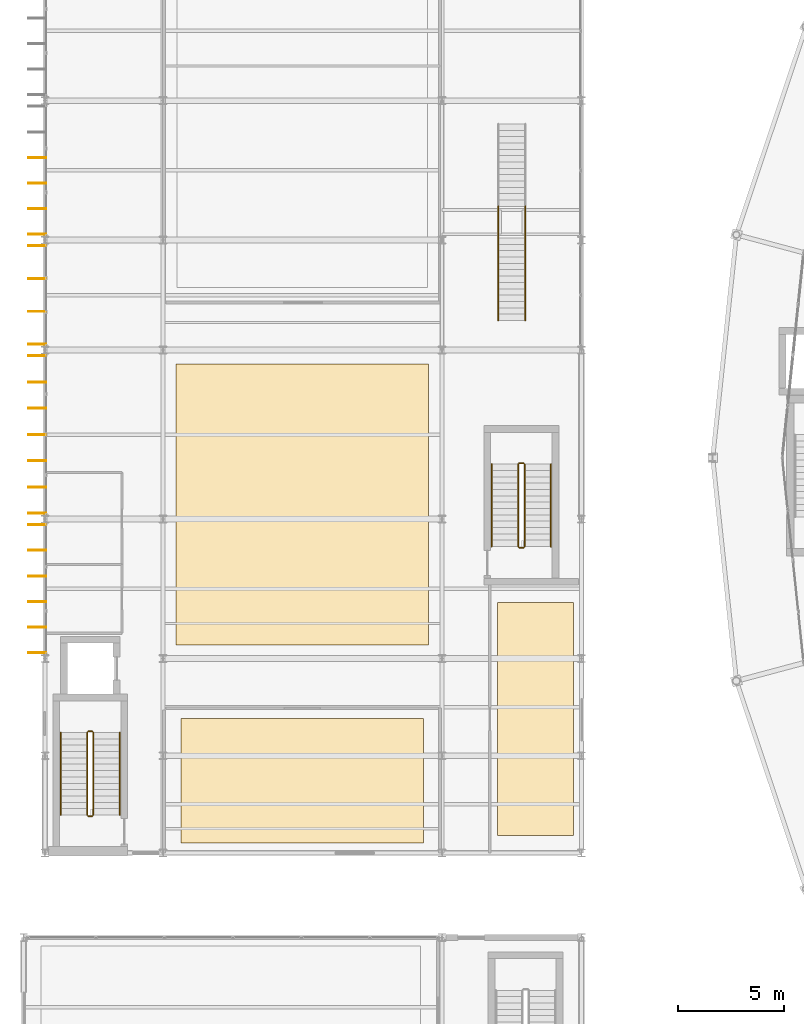
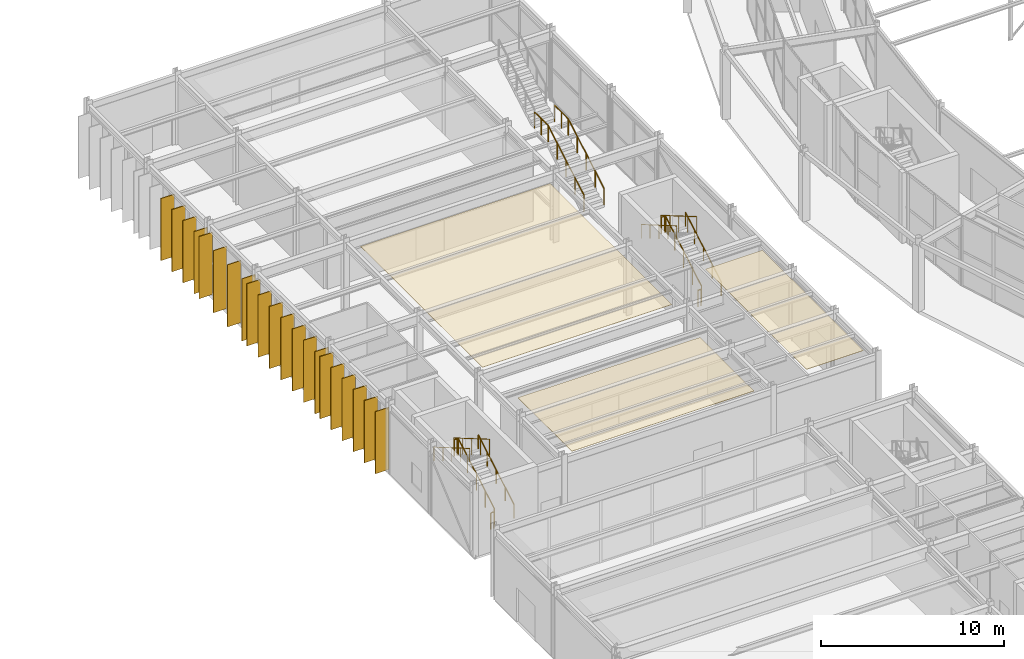
# One storey, part 135 of 144: 21 shading devices, 16 railings, 3 coverings.
"""IFC4 building model written with IfcOpenShell, lengths in metres."""

from ifc_helpers import new_model, si_unit, direction, frame, origin, origin_2d, place, context, subcontext, project, spatial, polyline, rectangle, circle, outline, extrude, material, layer, layer_set, type_object, element, save


model = new_model("IFC4")

# Units and contexts
model_context = context("Model", 3, precision=1e-05, world=origin(), true_north=direction((0.0, 1.0)))
body_context = subcontext(model_context, "Body", "Model", "MODEL_VIEW")
ifc_project = project(units=[si_unit("LENGTHUNIT", "METRE"), si_unit("AREAUNIT", "SQUARE_METRE"), si_unit("VOLUMEUNIT", "CUBIC_METRE"), si_unit("PLANEANGLEUNIT", "RADIAN"), si_unit("MASSUNIT", "GRAM", prefix="KILO")], contexts=[model_context])

# Site, building, storey
site_placement = place(None, origin())
site = spatial("IfcSite", under=ifc_project, at=site_placement, CompositionType="ELEMENT")
building_placement = place(site_placement, origin())
building = spatial("IfcBuilding", under=site, at=building_placement, Name="Karori Crest Natural Sciences Institute", CompositionType="ELEMENT")
storey_placement = place(building_placement, origin())
storey = spatial("IfcBuildingStorey", under=building, at=storey_placement, Name="L00", CompositionType="ELEMENT", Elevation=0.0)

# Coverings
ifc_material_1 = material(Name="Acoustic mineral fibre ceiling tile")
ifc_layer_1 = layer(ifc_material_1, 0.02490234375, Name="Acoustic mineral fibre ceiling tile")
ifc_layer_set_1 = layer_set([ifc_layer_1], Name="Acoustic mineral fibre ceiling tile")
covering_type = type_object("IfcCoveringType", Name="CVT-CEIL", PredefinedType="CEILING", material=ifc_layer_set_1)
covering_1_placement = place(storey_placement, frame((0.0, 0.0, 4.405029296875)))
element("IfcCovering", 1, at=covering_1_placement, inside=storey, type_object=covering_type, Name="Acoustic ceiling CLG-0044", PredefinedType="CEILING", context=body_context, shape_type="SweptSolid", body=[
    extrude(outline(polyline([(7.998046875, 54.349365234375), (7.998046875, 41.050537109375), (19.951904296875, 41.050537109375), (19.951904296875, 54.349365234375), (7.998046875, 54.349365234375)])), origin(), (0.0, 0.0, 1.0), 0.02490234375),
])
covering_2_placement = place(storey_placement, frame((0.0, 0.0, 4.405029296875)))
element("IfcCovering", 2, at=covering_2_placement, inside=storey, type_object=covering_type, Name="Acoustic ceiling CLG-0046", PredefinedType="CEILING", context=body_context, shape_type="SweptSolid", body=[
    extrude(outline(polyline([(8.23291015625, 37.570556640625), (8.23291015625, 31.679443359375), (19.71728515625, 31.679443359375), (19.71728515625, 37.570556640625), (8.23291015625, 37.570556640625)])), origin(), (0.0, 0.0, 1.0), 0.02490234375),
])
covering_3_placement = place(storey_placement, frame((0.0, 0.0, 4.405029296875)))
element("IfcCovering", 3, at=covering_3_placement, inside=storey, type_object=covering_type, Name="Acoustic ceiling CLG-0047", PredefinedType="CEILING", context=body_context, shape_type="SweptSolid", body=[
    extrude(outline(polyline([(23.22705078125, 43.054443359375), (23.22705078125, 32.025390625), (26.822998046875, 32.025390625), (26.822998046875, 43.054443359375), (23.22705078125, 43.054443359375)])), origin(), (0.0, 0.0, 1.0), 0.02490234375),
])

# Railings
ifc_material_2 = material(Name="Stainless steel 316 tubular handrail", Category="steel")
railing_type_1 = type_object("IfcRailingType", Name="RLT-HND", PredefinedType="HANDRAIL", material=ifc_material_2)
railing_1_placement = place(storey_placement, frame((5.35009765625, 33.0, 0.175048828125)))
element("IfcRailing", 4, at=railing_1_placement, inside=storey, type_object=railing_type_1, Name="Stair handrail RL-0317", PredefinedType="HANDRAIL", context=body_context, shape_type="SweptSolid", body=[
    extrude(circle(Radius=0.02392578125, at=origin_2d()), frame((0.0, 0.0, 0.90087890625), z_axis=(0.0, 0.86378282336, 0.503864301244), x_axis=(-1.0, 0.0, 0.0)), (0.0, 0.0, 1.0), 4.514892578125),
    extrude(circle(Radius=0.02099609375, at=origin_2d()), origin(), (0.0, 0.0, 1.0), 0.876953125),
    extrude(circle(Radius=0.02099609375, at=origin_2d()), frame((0.0, 0.97509765625, 0.56884765625)), (0.0, 0.0, 1.0), 0.876953125),
    extrude(circle(Radius=0.02099609375, at=origin_2d()), frame((0.0, 1.949951171875, 1.137451171875)), (0.0, 0.0, 1.0), 0.876953125),
    extrude(circle(Radius=0.02099609375, at=origin_2d()), frame((0.0, 2.9248046875, 1.7060546875)), (0.0, 0.0, 1.0), 0.876953125),
    extrude(circle(Radius=0.02099609375, at=origin_2d()), frame((0.0, 3.89990234375, 2.27490234375)), (0.0, 0.0, 1.0), 0.876953125),
])
railing_2_placement = place(storey_placement, frame((2.550048828125, 36.89990234375, 2.625)))
element("IfcRailing", 5, at=railing_2_placement, inside=storey, type_object=railing_type_1, Name="Stair handrail RL-0318", PredefinedType="HANDRAIL", context=body_context, shape_type="SweptSolid", body=[
    extrude(circle(Radius=0.02392578125, at=origin_2d()), frame((0.0, 0.0, 0.90087890625), z_axis=(0.0, -0.86378282336, 0.503864301244), x_axis=(1.0, 0.0, 0.0)), (0.0, 0.0, 1.0), 4.514892578125),
    extrude(circle(Radius=0.02099609375, at=origin_2d()), origin(), (0.0, 0.0, 1.0), 0.876953125),
    extrude(circle(Radius=0.02099609375, at=origin_2d()), frame((0.0, -0.97509765625, 0.56884765625)), (0.0, 0.0, 1.0), 0.876953125),
    extrude(circle(Radius=0.02099609375, at=origin_2d()), frame((0.0, -1.949951171875, 1.137451171875)), (0.0, 0.0, 1.0), 0.876953125),
    extrude(circle(Radius=0.02099609375, at=origin_2d()), frame((0.0, -2.9248046875, 1.7060546875)), (0.0, 0.0, 1.0), 0.876953125),
    extrude(circle(Radius=0.02099609375, at=origin_2d()), frame((0.0, -3.89990234375, 2.27490234375)), (0.0, 0.0, 1.0), 0.876953125),
])
railing_3_placement = place(storey_placement, frame((25.75, 45.699951171875, 0.175048828125)))
element("IfcRailing", 6, at=railing_3_placement, inside=storey, type_object=railing_type_1, Name="Stair handrail RL-0348", PredefinedType="HANDRAIL", context=body_context, shape_type="SweptSolid", body=[
    extrude(circle(Radius=0.02392578125, at=origin_2d()), frame((0.0, 0.0, 0.90087890625), z_axis=(0.0, 0.86379655074, 0.503840767436), x_axis=(-1.0, 0.0, 0.0)), (0.0, 0.0, 1.0), 4.51513671875),
    extrude(circle(Radius=0.02099609375, at=origin_2d()), origin(), (0.0, 0.0, 1.0), 0.876953125),
    extrude(circle(Radius=0.02099609375, at=origin_2d()), frame((0.0, 0.97509765625, 0.56884765625)), (0.0, 0.0, 1.0), 0.876953125),
    extrude(circle(Radius=0.02099609375, at=origin_2d()), frame((0.0, 1.9501953125, 1.137451171875)), (0.0, 0.0, 1.0), 0.876953125),
    extrude(circle(Radius=0.02099609375, at=origin_2d()), frame((0.0, 2.925048828125, 1.7060546875)), (0.0, 0.0, 1.0), 0.876953125),
    extrude(circle(Radius=0.02099609375, at=origin_2d()), frame((0.0, 3.900146484375, 2.27490234375)), (0.0, 0.0, 1.0), 0.876953125),
])
railing_4_placement = place(storey_placement, frame((22.949951171875, 49.60009765625, 2.625)))
element("IfcRailing", 7, at=railing_4_placement, inside=storey, type_object=railing_type_1, Name="Stair handrail RL-0349", PredefinedType="HANDRAIL", context=body_context, shape_type="SweptSolid", body=[
    extrude(circle(Radius=0.02392578125, at=origin_2d()), frame((0.0, 0.0, 0.90087890625), z_axis=(0.0, -0.86379655074, 0.503840767436), x_axis=(1.0, 0.0, 0.0)), (0.0, 0.0, 1.0), 4.51513671875),
    extrude(circle(Radius=0.02099609375, at=origin_2d()), origin(), (0.0, 0.0, 1.0), 0.876953125),
    extrude(circle(Radius=0.02099609375, at=origin_2d()), frame((0.0, -0.97509765625, 0.56884765625)), (0.0, 0.0, 1.0), 0.876953125),
    extrude(circle(Radius=0.02099609375, at=origin_2d()), frame((0.0, -1.9501953125, 1.137451171875)), (0.0, 0.0, 1.0), 0.876953125),
    extrude(circle(Radius=0.02099609375, at=origin_2d()), frame((0.0, -2.925048828125, 1.7060546875)), (0.0, 0.0, 1.0), 0.876953125),
    extrude(circle(Radius=0.02099609375, at=origin_2d()), frame((0.0, -3.900146484375, 2.27490234375)), (0.0, 0.0, 1.0), 0.876953125),
])
ifc_material_3 = material(Name="Stainless steel 316 stair guard", Category="steel")
railing_type_2 = type_object("IfcRailingType", Name="RLT-STG", PredefinedType="GUARDRAIL", material=ifc_material_3)
railing_5_placement = place(storey_placement, frame((4.10009765625, 33.0, 0.175048828125)))
element("IfcRailing", 8, at=railing_5_placement, inside=storey, type_object=railing_type_2, Name="Stair guard RL-0313", PredefinedType="GUARDRAIL", context=body_context, shape_type="SweptSolid", body=[
    extrude(circle(Radius=0.02392578125, at=origin_2d()), frame((0.0, 0.0, 1.076171875), z_axis=(0.0, 0.86378282336, 0.503864301244), x_axis=(-1.0, 0.0, 0.0)), (0.0, 0.0, 1.0), 4.514892578125),
    extrude(circle(Radius=0.02099609375, at=origin_2d()), origin(), (0.0, 0.0, 1.0), 1.052001953125),
    extrude(circle(Radius=0.02099609375, at=origin_2d()), frame((0.0, 0.97509765625, 0.56884765625)), (0.0, 0.0, 1.0), 1.052001953125),
    extrude(circle(Radius=0.02099609375, at=origin_2d()), frame((0.0, 1.949951171875, 1.137451171875)), (0.0, 0.0, 1.0), 1.052001953125),
    extrude(circle(Radius=0.02099609375, at=origin_2d()), frame((0.0, 2.9248046875, 1.7060546875)), (0.0, 0.0, 1.0), 1.052001953125),
    extrude(circle(Radius=0.02099609375, at=origin_2d()), frame((0.0, 3.89990234375, 2.27490234375)), (0.0, 0.0, 1.0), 1.052001953125),
])
railing_6_placement = place(storey_placement, frame((4.050048828125, 36.949951171875, 2.449951171875)))
element("IfcRailing", 9, at=railing_6_placement, inside=storey, type_object=railing_type_2, Name="Stair guard RL-0314", PredefinedType="GUARDRAIL", context=body_context, shape_type="SweptSolid", body=[
    extrude(circle(Radius=0.02392578125, at=origin_2d()), frame((0.0, 0.0, 1.076171875), z_axis=(-1.0, 0.0, 0.0), x_axis=(0.0, -1.0, 0.0)), (0.0, 0.0, 1.0), 0.199951171875),
    extrude(circle(Radius=0.02099609375, at=origin_2d()), origin(), (0.0, 0.0, 1.0), 1.052001953125),
    extrude(circle(Radius=0.02099609375, at=origin_2d()), frame((-0.199951171875, 0.0, 0.0)), (0.0, 0.0, 1.0), 1.052001953125),
])
railing_7_placement = place(storey_placement, frame((3.800048828125, 36.89990234375, 2.625)))
element("IfcRailing", 10, at=railing_7_placement, inside=storey, type_object=railing_type_2, Name="Stair guard RL-0315", PredefinedType="GUARDRAIL", context=body_context, shape_type="SweptSolid", body=[
    extrude(circle(Radius=0.02392578125, at=origin_2d()), frame((0.0, 0.0, 1.076171875), z_axis=(0.0, -0.86378282336, 0.503864301244), x_axis=(1.0, 0.0, 0.0)), (0.0, 0.0, 1.0), 4.514892578125),
    extrude(circle(Radius=0.02099609375, at=origin_2d()), origin(), (0.0, 0.0, 1.0), 1.052001953125),
    extrude(circle(Radius=0.02099609375, at=origin_2d()), frame((0.0, -0.97509765625, 0.56884765625)), (0.0, 0.0, 1.0), 1.052001953125),
    extrude(circle(Radius=0.02099609375, at=origin_2d()), frame((0.0, -1.949951171875, 1.137451171875)), (0.0, 0.0, 1.0), 1.052001953125),
    extrude(circle(Radius=0.02099609375, at=origin_2d()), frame((0.0, -2.9248046875, 1.7060546875)), (0.0, 0.0, 1.0), 1.052001953125),
    extrude(circle(Radius=0.02099609375, at=origin_2d()), frame((0.0, -3.89990234375, 2.27490234375)), (0.0, 0.0, 1.0), 1.052001953125),
])
railing_8_placement = place(storey_placement, frame((4.050048828125, 32.949951171875, 0.0)))
element("IfcRailing", 11, at=railing_8_placement, inside=storey, type_object=railing_type_2, Name="Stair guard RL-0316", PredefinedType="GUARDRAIL", context=body_context, shape_type="SweptSolid", body=[
    extrude(circle(Radius=0.02392578125, at=origin_2d()), frame((0.0, 0.0, 1.076171875), z_axis=(-1.0, 0.0, 0.0), x_axis=(0.0, -1.0, 0.0)), (0.0, 0.0, 1.0), 0.199951171875),
    extrude(circle(Radius=0.02099609375, at=origin_2d()), origin(), (0.0, 0.0, 1.0), 1.052001953125),
    extrude(circle(Radius=0.02099609375, at=origin_2d()), frame((-0.199951171875, 0.0, 0.0)), (0.0, 0.0, 1.0), 1.052001953125),
])
railing_9_placement = place(storey_placement, frame((24.5, 45.699951171875, 0.175048828125)))
element("IfcRailing", 12, at=railing_9_placement, inside=storey, type_object=railing_type_2, Name="Stair guard RL-0344", PredefinedType="GUARDRAIL", context=body_context, shape_type="SweptSolid", body=[
    extrude(circle(Radius=0.02392578125, at=origin_2d()), frame((0.0, 0.0, 1.076171875), z_axis=(0.0, 0.86379655074, 0.503840767436), x_axis=(-1.0, 0.0, 0.0)), (0.0, 0.0, 1.0), 4.51513671875),
    extrude(circle(Radius=0.02099609375, at=origin_2d()), origin(), (0.0, 0.0, 1.0), 1.052001953125),
    extrude(circle(Radius=0.02099609375, at=origin_2d()), frame((0.0, 0.97509765625, 0.56884765625)), (0.0, 0.0, 1.0), 1.052001953125),
    extrude(circle(Radius=0.02099609375, at=origin_2d()), frame((0.0, 1.9501953125, 1.137451171875)), (0.0, 0.0, 1.0), 1.052001953125),
    extrude(circle(Radius=0.02099609375, at=origin_2d()), frame((0.0, 2.925048828125, 1.7060546875)), (0.0, 0.0, 1.0), 1.052001953125),
    extrude(circle(Radius=0.02099609375, at=origin_2d()), frame((0.0, 3.900146484375, 2.27490234375)), (0.0, 0.0, 1.0), 1.052001953125),
])
railing_10_placement = place(storey_placement, frame((24.449951171875, 49.64990234375, 2.449951171875)))
element("IfcRailing", 13, at=railing_10_placement, inside=storey, type_object=railing_type_2, Name="Stair guard RL-0345", PredefinedType="GUARDRAIL", context=body_context, shape_type="SweptSolid", body=[
    extrude(circle(Radius=0.02392578125, at=origin_2d()), frame((0.0, 0.0, 1.076171875), z_axis=(-1.0, 0.0, 0.0), x_axis=(0.0, -1.0, 0.0)), (0.0, 0.0, 1.0), 0.199951171875),
    extrude(circle(Radius=0.02099609375, at=origin_2d()), origin(), (0.0, 0.0, 1.0), 1.052001953125),
    extrude(circle(Radius=0.02099609375, at=origin_2d()), frame((-0.199951171875, 0.0, 0.0)), (0.0, 0.0, 1.0), 1.052001953125),
])
railing_11_placement = place(storey_placement, frame((24.199951171875, 49.60009765625, 2.625)))
element("IfcRailing", 14, at=railing_11_placement, inside=storey, type_object=railing_type_2, Name="Stair guard RL-0346", PredefinedType="GUARDRAIL", context=body_context, shape_type="SweptSolid", body=[
    extrude(circle(Radius=0.02392578125, at=origin_2d()), frame((0.0, 0.0, 1.076171875), z_axis=(0.0, -0.86379655074, 0.503840767436), x_axis=(1.0, 0.0, 0.0)), (0.0, 0.0, 1.0), 4.51513671875),
    extrude(circle(Radius=0.02099609375, at=origin_2d()), origin(), (0.0, 0.0, 1.0), 1.052001953125),
    extrude(circle(Radius=0.02099609375, at=origin_2d()), frame((0.0, -0.97509765625, 0.56884765625)), (0.0, 0.0, 1.0), 1.052001953125),
    extrude(circle(Radius=0.02099609375, at=origin_2d()), frame((0.0, -1.9501953125, 1.137451171875)), (0.0, 0.0, 1.0), 1.052001953125),
    extrude(circle(Radius=0.02099609375, at=origin_2d()), frame((0.0, -2.925048828125, 1.7060546875)), (0.0, 0.0, 1.0), 1.052001953125),
    extrude(circle(Radius=0.02099609375, at=origin_2d()), frame((0.0, -3.900146484375, 2.27490234375)), (0.0, 0.0, 1.0), 1.052001953125),
])
railing_12_placement = place(storey_placement, frame((24.449951171875, 45.64990234375, 0.0)))
element("IfcRailing", 15, at=railing_12_placement, inside=storey, type_object=railing_type_2, Name="Stair guard RL-0347", PredefinedType="GUARDRAIL", context=body_context, shape_type="SweptSolid", body=[
    extrude(circle(Radius=0.02392578125, at=origin_2d()), frame((0.0, 0.0, 1.076171875), z_axis=(-1.0, 0.0, 0.0), x_axis=(0.0, -1.0, 0.0)), (0.0, 0.0, 1.0), 0.199951171875),
    extrude(circle(Radius=0.02099609375, at=origin_2d()), origin(), (0.0, 0.0, 1.0), 1.052001953125),
    extrude(circle(Radius=0.02099609375, at=origin_2d()), frame((-0.199951171875, 0.0, 0.0)), (0.0, 0.0, 1.0), 1.052001953125),
])
railing_13_placement = place(storey_placement, frame((23.264892578125, 56.39990234375, 0.175048828125)))
element("IfcRailing", 16, at=railing_13_placement, inside=storey, type_object=railing_type_2, Name="Feature stair guard RL-0407", PredefinedType="GUARDRAIL", context=body_context, shape_type="SweptSolid", body=[
    extrude(circle(Radius=0.02392578125, at=origin_2d()), frame((0.0, 0.0, 1.076171875), z_axis=(0.0, 0.86379655074, 0.503840767436), x_axis=(-1.0, 0.0, 0.0)), (0.0, 0.0, 1.0), 4.51513671875),
    extrude(circle(Radius=0.02099609375, at=origin_2d()), origin(), (0.0, 0.0, 1.0), 1.052001953125),
    extrude(circle(Radius=0.02099609375, at=origin_2d()), frame((0.0, 0.97509765625, 0.56884765625)), (0.0, 0.0, 1.0), 1.052001953125),
    extrude(circle(Radius=0.02099609375, at=origin_2d()), frame((0.0, 1.9501953125, 1.137451171875)), (0.0, 0.0, 1.0), 1.052001953125),
    extrude(circle(Radius=0.02099609375, at=origin_2d()), frame((0.0, 2.925048828125, 1.7060546875)), (0.0, 0.0, 1.0), 1.052001953125),
    extrude(circle(Radius=0.02099609375, at=origin_2d()), frame((0.0, 3.900146484375, 2.27490234375)), (0.0, 0.0, 1.0), 1.052001953125),
])
railing_14_placement = place(storey_placement, frame((23.264892578125, 60.300048828125, 2.449951171875)))
element("IfcRailing", 17, at=railing_14_placement, inside=storey, type_object=railing_type_2, Name="Feature stair guard RL-0408", PredefinedType="GUARDRAIL", context=body_context, shape_type="SweptSolid", body=[
    extrude(circle(Radius=0.02392578125, at=origin_2d()), frame((0.0, 0.0, 1.076171875), z_axis=(0.0, 1.0, 0.0), x_axis=(-1.0, 0.0, 0.0)), (0.0, 0.0, 1.0), 1.5),
    extrude(circle(Radius=0.02099609375, at=origin_2d()), origin(), (0.0, 0.0, 1.0), 1.052001953125),
    extrude(circle(Radius=0.02099609375, at=origin_2d()), frame((0.0, 0.75, 0.0)), (0.0, 0.0, 1.0), 1.052001953125),
    extrude(circle(Radius=0.02099609375, at=origin_2d()), frame((0.0, 1.5, 0.0)), (0.0, 0.0, 1.0), 1.052001953125),
])
railing_15_placement = place(storey_placement, frame((24.534912109375, 56.39990234375, 0.175048828125)))
element("IfcRailing", 18, at=railing_15_placement, inside=storey, type_object=railing_type_2, Name="Feature stair guard RL-0410", PredefinedType="GUARDRAIL", context=body_context, shape_type="SweptSolid", body=[
    extrude(circle(Radius=0.02392578125, at=origin_2d()), frame((0.0, 0.0, 1.076171875), z_axis=(0.0, 0.86379655074, 0.503840767436), x_axis=(-1.0, 0.0, 0.0)), (0.0, 0.0, 1.0), 4.51513671875),
    extrude(circle(Radius=0.02099609375, at=origin_2d()), origin(), (0.0, 0.0, 1.0), 1.052001953125),
    extrude(circle(Radius=0.02099609375, at=origin_2d()), frame((0.0, 0.97509765625, 0.56884765625)), (0.0, 0.0, 1.0), 1.052001953125),
    extrude(circle(Radius=0.02099609375, at=origin_2d()), frame((0.0, 1.9501953125, 1.137451171875)), (0.0, 0.0, 1.0), 1.052001953125),
    extrude(circle(Radius=0.02099609375, at=origin_2d()), frame((0.0, 2.925048828125, 1.7060546875)), (0.0, 0.0, 1.0), 1.052001953125),
    extrude(circle(Radius=0.02099609375, at=origin_2d()), frame((0.0, 3.900146484375, 2.27490234375)), (0.0, 0.0, 1.0), 1.052001953125),
])
railing_16_placement = place(storey_placement, frame((24.534912109375, 60.300048828125, 2.449951171875)))
element("IfcRailing", 19, at=railing_16_placement, inside=storey, type_object=railing_type_2, Name="Feature stair guard RL-0411", PredefinedType="GUARDRAIL", context=body_context, shape_type="SweptSolid", body=[
    extrude(circle(Radius=0.02392578125, at=origin_2d()), frame((0.0, 0.0, 1.076171875), z_axis=(0.0, 1.0, 0.0), x_axis=(-1.0, 0.0, 0.0)), (0.0, 0.0, 1.0), 1.5),
    extrude(circle(Radius=0.02099609375, at=origin_2d()), origin(), (0.0, 0.0, 1.0), 1.052001953125),
    extrude(circle(Radius=0.02099609375, at=origin_2d()), frame((0.0, 0.75, 0.0)), (0.0, 0.0, 1.0), 1.052001953125),
    extrude(circle(Radius=0.02099609375, at=origin_2d()), frame((0.0, 1.5, 0.0)), (0.0, 0.0, 1.0), 1.052001953125),
])

# Shading devices
ifc_material_4 = material(Name="Anodised architectural aluminium 6063-T6", Category="aluminium")
ifc_layer_2 = layer(ifc_material_4, 0.044921875, Name="Anodised architectural aluminium 6063-T6")
ifc_layer_set_2 = layer_set([ifc_layer_2], Name="Anodised architectural aluminium 6063-T6")
shading_device_type = type_object("IfcShadingDeviceType", Name="SDT-FIN", PredefinedType="USERDEFINED", material=ifc_layer_set_2)
for number, where, z_axis, x_axis, name in (
    (20, (1.449951171875, 40.673095703125, 0.0), (0.0, 0.0, 1.0), (-1.0, 0.0, 0.0), "Vertical solar fin FN-1260"),
    (21, (1.449951171875, 41.8837890625, 0.0), (0.0, 0.0, 1.0), (-1.0, 0.0, 0.0), "Vertical solar fin FN-1261"),
    (22, (1.449951171875, 43.094482421875, 0.0), (0.0, 0.0, 1.0), (-1.0, 0.0, 0.0), "Vertical solar fin FN-1262"),
    (23, (1.449951171875, 44.305419921875, 0.0), (0.0, 0.0, 1.0), (-1.0, 0.0, 0.0), "Vertical solar fin FN-1263"),
    (24, (1.449951171875, 45.51611328125, 0.0), (0.0, 0.0, 1.0), (-1.0, 0.0, 0.0), "Vertical solar fin FN-1264"),
    (25, (1.449951171875, 46.72705078125, 0.0), (0.0, 0.0, 1.0), (-1.0, 0.0, 0.0), "Vertical solar fin FN-1265"),
    (26, (1.449951171875, 47.27294921875, 0.0), (0.0, 0.0, 1.0), (-1.0, 0.0, 0.0), "Vertical solar fin FN-1266"),
    (27, (1.449951171875, 48.515380859375, 0.0), (0.0, 0.0, 1.0), (-1.0, 0.0, 0.0), "Vertical solar fin FN-1267"),
    (28, (1.449951171875, 49.7578125, 0.0), (0.0, 0.0, 1.0), (-1.0, 0.0, 0.0), "Vertical solar fin FN-1268"),
    (29, (1.449951171875, 51.0, 0.0), (0.0, 0.0, 1.0), (-1.0, 0.0, 0.0), "Vertical solar fin FN-1269"),
    (30, (1.449951171875, 52.2421875, 0.0), (0.0, 0.0, 1.0), (-1.0, 0.0, 0.0), "Vertical solar fin FN-1270"),
    (31, (1.449951171875, 53.484619140625, 0.0), (0.0, 0.0, 1.0), (-1.0, 0.0, 0.0), "Vertical solar fin FN-1271"),
    (32, (1.449951171875, 54.72705078125, 0.0), (0.0, 0.0, 1.0), (-1.0, 0.0, 0.0), "Vertical solar fin FN-1272"),
    (33, (1.449951171875, 55.27294921875, 0.0), (0.0, 0.0, 1.0), (-1.0, 0.0, 0.0), "Vertical solar fin FN-1273"),
    (34, (1.449951171875, 56.82421875, 0.0), (0.0, 0.0, 1.0), (-1.0, 0.0, 0.0), "Vertical solar fin FN-1274"),
    (35, (1.449951171875, 58.375732421875, 0.0), (0.0, 0.0, 1.0), (-1.0, 0.0, 0.0), "Vertical solar fin FN-1275"),
    (36, (1.449951171875, 59.927001953125, 0.0), (0.0, 0.0, 1.0), (-1.0, 0.0, 0.0), "Vertical solar fin FN-1276"),
    (37, (1.449951171875, 60.472900390625, 0.0), (0.0, 0.0, 1.0), (-1.0, 0.0, 0.0), "Vertical solar fin FN-1277"),
    (38, (1.449951171875, 61.683837890625, 0.0), (0.0, 0.0, 1.0), (-1.0, 0.0, 0.0), "Vertical solar fin FN-1278"),
    (39, (1.449951171875, 62.89453125, 0.0), (0.0, 0.0, 1.0), (-1.0, 0.0, 0.0), "Vertical solar fin FN-1279"),
    (40, (1.449951171875, 64.10546875, 0.0), (0.0, 0.0, 1.0), (-1.0, 0.0, 0.0), "Vertical solar fin FN-1280"),
):
    element("IfcShadingDevice", number, at=place(storey_placement, frame(where, z_axis=z_axis, x_axis=x_axis)), inside=storey, type_object=shading_device_type, Name=name, ObjectType="SOLAR_FIN", PredefinedType="USERDEFINED", context=body_context, shape_type="SweptSolid", body=[
        extrude(rectangle(XDim=0.85009765625, YDim=0.044921875, at=origin_2d()), origin(), (0.0, 0.0, 1.0), 4.14501953125),
    ])

save(model, "model.ifc")
